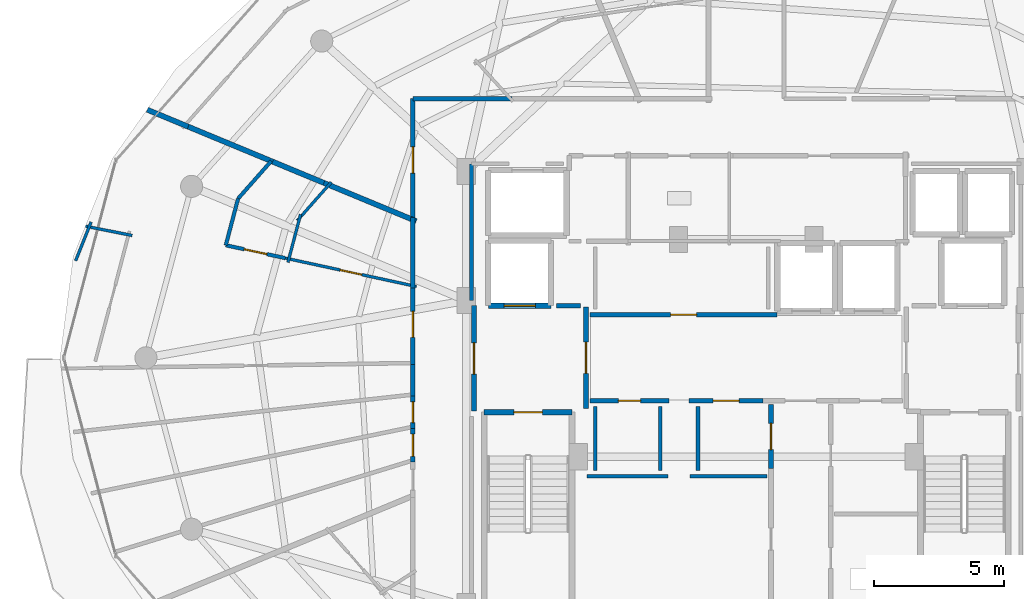
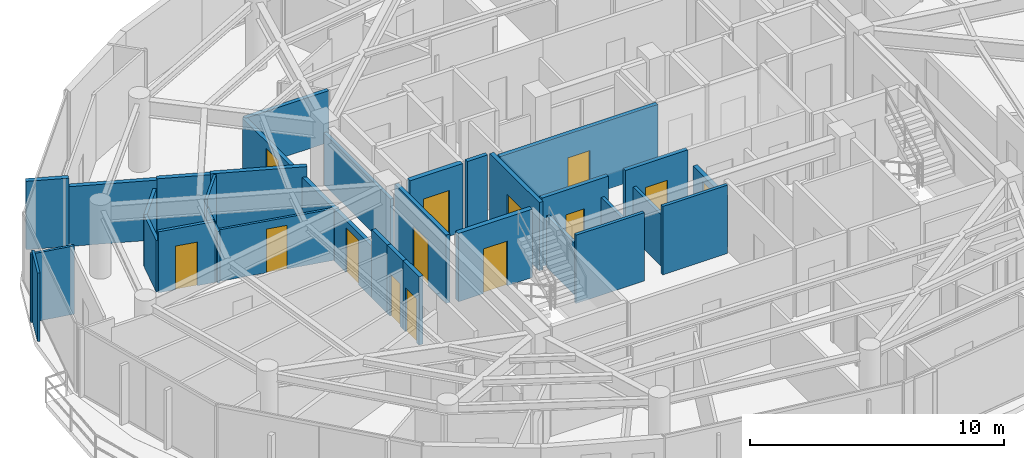
# One storey, part 24 of 31: 34 walls, 14 doors, 14 openings.
"""IFC4 building model written with IfcOpenShell, lengths in metres."""

from ifc_helpers import new_model, si_unit, direction, frame, frame_2d, origin, place, context, subcontext, project, spatial, rectangle, extrude, material, layer, layer_set, type_object, element, fill, save


model = new_model("IFC4")

# Units and contexts
model_context = context("Model", 3, precision=1e-05, world=origin(), true_north=direction((0.0, 1.0)))
body_context = subcontext(model_context, "Body", "Model", "MODEL_VIEW")
ifc_project = project(units=[si_unit("LENGTHUNIT", "METRE"), si_unit("AREAUNIT", "SQUARE_METRE"), si_unit("VOLUMEUNIT", "CUBIC_METRE"), si_unit("PLANEANGLEUNIT", "RADIAN"), si_unit("MASSUNIT", "GRAM", prefix="KILO")], contexts=[model_context])

# Site, building, storey
site_placement = place(None, origin())
site = spatial("IfcSite", under=ifc_project, at=site_placement, CompositionType="ELEMENT")
building_placement = place(site_placement, origin())
building = spatial("IfcBuilding", under=site, at=building_placement, Name="Vorneva Point Tower", CompositionType="ELEMENT")
storey_placement = place(building_placement, frame((0.0, 0.0, 266.199951171875)))
storey = spatial("IfcBuildingStorey", under=building, at=storey_placement, Name="L72", CompositionType="ELEMENT", Elevation=266.199951171875)

# Wall, opening, door
ifc_material_1 = material(Name="Concrete B60 (C50/60)", Category="concrete")
ifc_layer_1 = layer(ifc_material_1, 0.35009765625)
ifc_layer_set_1 = layer_set([ifc_layer_1], Name="Concrete B60 (C50/60)")
wall_type_1 = type_object("IfcWallType", Name="WL-CORE-350", PredefinedType="SHEAR", material=ifc_layer_set_1)
wall_1_placement = place(storey_placement, frame((28.10009765625, 28.0, 0.0), z_axis=(0.0, 0.0, 1.0), x_axis=(1.0, 0.0, 0.0)))
wall_1 = element("IfcWall", 1, at=wall_1_placement, inside=storey, type_object=wall_type_1, Name="L72 Lift FFL1 Shaft Wall -Y", PredefinedType="SHEAR", context=body_context, shape_type="SweptSolid", body=[
    extrude(rectangle(XDim=2.39990234375, YDim=0.219970703125, at=frame_2d((1.199951171875, 0.0))), origin(), (0.0, 0.0, 1.0), 3.2900390625),
])
opening_1_placement = place(wall_1_placement, frame((0.60009765625, 0.0, 0.0)))
opening_1 = element("IfcOpeningElement", 2, at=opening_1_placement, cuts=wall_1, Name="Opening LD-02", PredefinedType="OPENING", context=body_context, shape_type="SweptSolid", body=[
    extrude(rectangle(XDim=1.199951171875, YDim=2.199951171875, at=frame_2d((0.60009765625, 1.10009765625))), frame((0.0, 0.125, 0.0), z_axis=(0.0, -1.0, 0.0), x_axis=(1.0, 0.0, 0.0)), (0.0, 0.0, 1.0), 0.249755859375),
])
ifc_material_2 = material(Name="Brushed stainless steel S304", Category="steel")
door_type_1 = type_object("IfcDoorType", Name="LD-FIRE-1200", OperationType="SLIDING_TO_LEFT", PredefinedType="DOOR", material=ifc_material_2)
door_1_placement = place(opening_1_placement, origin())
door_1 = element("IfcDoor", 3, at=door_1_placement, inside=storey, type_object=door_type_1, Name="L72 Lift FFL1 Sliding Landing Door", OperationType="SLIDING_TO_LEFT", OverallHeight=2.199951171875, OverallWidth=1.199951171875, PredefinedType="DOOR", context=body_context, shape_type="SweptSolid", body=[
    extrude(rectangle(XDim=1.199951171875, YDim=2.199951171875, at=frame_2d((0.60009765625, 1.10009765625))), frame((0.0, 0.02490234375, 0.0), z_axis=(0.0, -1.0, 0.0), x_axis=(1.0, 0.0, 0.0)), (0.0, 0.0, 1.0), 0.050048828125),
])
fill(opening_1, door_1)

ifc_material_3 = material(Name="Fire-rated acoustic gypsum stud partition", Category="gypsum")
ifc_layer_2 = layer(ifc_material_3, 0.110107421875)
ifc_layer_set_2 = layer_set([ifc_layer_2], Name="Fire-rated acoustic gypsum stud partition")
wall_type_2 = type_object("IfcWallType", Name="WL-PART-110", PredefinedType="PARTITIONING", material=ifc_layer_set_2)
wall_2_placement = place(storey_placement, frame((25.3369140625, 28.73828125, 0.0), z_axis=(0.0, 0.0, 1.0), x_axis=(-0.977382932841, 0.211477191656, 0.0)))
wall_2 = element("IfcWall", 4, at=wall_2_placement, inside=storey, type_object=wall_type_2, Name="L72 Interior Partition 088", PredefinedType="PARTITIONING", context=body_context, shape_type="SweptSolid", body=[
    extrude(rectangle(XDim=5.151123046875, YDim=0.110107421875, at=frame_2d((2.57568359375, 0.0))), origin(), (0.0, 0.0, 1.0), 2.48193359375),
])
opening_2_placement = place(wall_2_placement, frame((2.150390625, 0.0, 0.0)))
opening_2 = element("IfcOpeningElement", 5, at=opening_2_placement, cuts=wall_2, Name="Opening ID-02", PredefinedType="OPENING", context=body_context, shape_type="SweptSolid", body=[
    extrude(rectangle(XDim=0.85009765625, YDim=2.10009765625, at=frame_2d((0.425048828125, 1.050048828125))), frame((0.0, 0.06982421875, 0.0), z_axis=(0.0, -1.0, 0.0), x_axis=(1.0, 0.0, 0.0)), (0.0, 0.0, 1.0), 0.139892578125),
])
ifc_material_4 = material(Name="Engineered oak fire-rated door leaf", Category="wood")
door_type_2 = type_object("IfcDoorType", Name="DR-BATH-850", OperationType="NOTDEFINED", PredefinedType="DOOR", material=ifc_material_4)
door_2_placement = place(opening_2_placement, origin())
door_2 = element("IfcDoor", 6, at=door_2_placement, inside=storey, type_object=door_type_2, Name="L72 Door Living and Dining Room L72-04 / Bathroom L72-04", OperationType="SINGLE_SWING_RIGHT", OverallHeight=2.10009765625, OverallWidth=0.85009765625, PredefinedType="DOOR", context=body_context, shape_type="SweptSolid", body=[
    extrude(rectangle(XDim=0.85009765625, YDim=2.10009765625, at=frame_2d((0.425048828125, 1.050048828125))), frame((0.0, 0.02490234375, 0.0), z_axis=(0.0, -1.0, 0.0), x_axis=(1.0, 0.0, 0.0)), (0.0, 0.0, 1.0), 0.050048828125),
])
fill(opening_2, door_2)

# Walls
wall_3_placement = place(storey_placement, frame((12.845947265625, 31.212890625, 0.0), z_axis=(0.0, 0.0, 1.0), x_axis=(-0.371522095559, -0.928424112414, 0.0)))
element("IfcWall", 7, at=wall_3_placement, inside=storey, type_object=wall_type_2, Name="L72 Interior Partition 089", PredefinedType="PARTITIONING", context=body_context, shape_type="SweptSolid", body=[
    extrude(rectangle(XDim=1.6015625, YDim=0.110107421875, at=frame_2d((0.80078125, 0.0))), origin(), (0.0, 0.0, 1.0), 3.2900390625),
])
wall_4_placement = place(storey_placement, frame((12.634765625, 31.053466796875, 0.0), z_axis=(0.0, 0.0, 1.0), x_axis=(0.980704252003, -0.195497238094, 0.0)))
element("IfcWall", 8, at=wall_4_placement, inside=storey, type_object=wall_type_2, Name="L72 Interior Partition 090", PredefinedType="PARTITIONING", context=body_context, shape_type="SweptSolid", body=[
    extrude(rectangle(XDim=1.82080078125, YDim=0.110107421875, at=frame_2d((0.910400390625, 0.0))), origin(), (0.0, 0.0, 1.0), 3.2900390625),
])
wall_5_placement = place(storey_placement, frame((22.065673828125, 32.743896484375, 0.0), z_axis=(0.0, 0.0, 1.0), x_axis=(-0.662047420969, -0.749461948593, 0.0)))
element("IfcWall", 9, at=wall_5_placement, inside=storey, type_object=wall_type_2, Name="L72 Interior Partition 096", PredefinedType="PARTITIONING", context=body_context, shape_type="SweptSolid", body=[
    extrude(rectangle(XDim=1.9716796875, YDim=0.110107421875, at=frame_2d((0.98583984375, 0.0))), origin(), (0.0, 0.0, 1.0), 2.93603515625),
])
wall_6_placement = place(storey_placement, frame((20.888671875, 31.50634765625, 0.0), z_axis=(0.0, 0.0, 1.0), x_axis=(-0.254568935897, -0.967054629727, 0.0)))
element("IfcWall", 10, at=wall_6_placement, inside=storey, type_object=wall_type_2, Name="L72 Interior Partition 097", PredefinedType="PARTITIONING", context=body_context, shape_type="SweptSolid", body=[
    extrude(rectangle(XDim=1.906494140625, YDim=0.110107421875, at=frame_2d((0.953125, 0.0))), origin(), (0.0, 0.0, 1.0), 2.48193359375),
])
ifc_layer_3 = layer(ifc_material_3, 0.139892578125)
ifc_layer_set_3 = layer_set([ifc_layer_3], Name="Fire-rated acoustic gypsum stud partition")
wall_type_3 = type_object("IfcWallType", Name="WL-PART-140", PredefinedType="PARTITIONING", material=ifc_layer_set_3)
wall_7_placement = place(storey_placement, frame((35.0048828125, 21.449951171875, 0.0), z_axis=(0.0, 0.0, 1.0), x_axis=(-1.0, 0.0, 0.0)))
element("IfcWall", 11, at=wall_7_placement, inside=storey, type_object=wall_type_3, Name="L72 Interior Partition 028", PredefinedType="PARTITIONING", context=body_context, shape_type="SweptSolid", body=[
    extrude(rectangle(XDim=3.10986328125, YDim=0.139892578125, at=frame_2d((1.554931640625, 0.0))), origin(), (0.0, 0.0, 1.0), 3.2900390625),
])
wall_8_placement = place(storey_placement, frame((38.800048828125, 21.449951171875, 0.0), z_axis=(0.0, 0.0, 1.0), x_axis=(-1.0, 0.0, 0.0)))
element("IfcWall", 12, at=wall_8_placement, inside=storey, type_object=wall_type_3, Name="L72 Interior Partition 029", PredefinedType="PARTITIONING", context=body_context, shape_type="SweptSolid", body=[
    extrude(rectangle(XDim=2.955078125, YDim=0.139892578125, at=frame_2d((1.4775390625, 0.0))), origin(), (0.0, 0.0, 1.0), 3.2900390625),
])

# Wall, opening, door
wall_9_placement = place(storey_placement, frame((20.30224609375, 29.82763671875, 0.0), z_axis=(0.0, 0.0, 1.0), x_axis=(-0.977387924942, 0.211454118377, 0.0)))
wall_9 = element("IfcWall", 13, at=wall_9_placement, inside=storey, type_object=wall_type_3, Name="L72 Interior Partition 092", PredefinedType="PARTITIONING", context=body_context, shape_type="SweptSolid", body=[
    extrude(rectangle(XDim=2.338134765625, YDim=0.139892578125, at=frame_2d((1.1689453125, 0.0))), origin(), (0.0, 0.0, 1.0), 2.93603515625),
])
opening_3_placement = place(wall_9_placement, frame((0.718994140625, 0.0, 0.0)))
opening_3 = element("IfcOpeningElement", 14, at=opening_3_placement, cuts=wall_9, Name="Opening ID-01", PredefinedType="OPENING", context=body_context, shape_type="SweptSolid", body=[
    extrude(rectangle(XDim=0.89990234375, YDim=2.10009765625, at=frame_2d((0.449951171875, 1.050048828125))), frame((0.0, 0.0849609375, 0.0), z_axis=(0.0, -1.0, 0.0), x_axis=(1.0, 0.0, 0.0)), (0.0, 0.0, 1.0), 0.169677734375),
])
door_type_3 = type_object("IfcDoorType", Name="DR-ROOM-900", OperationType="NOTDEFINED", PredefinedType="DOOR", material=ifc_material_4)
door_3_placement = place(opening_3_placement, origin())
door_3 = element("IfcDoor", 15, at=door_3_placement, inside=storey, type_object=door_type_3, Name="L72 Door Living and Dining Room L72-04 / Study Room L72-04", OperationType="SINGLE_SWING_RIGHT", OverallHeight=2.10009765625, OverallWidth=0.89990234375, PredefinedType="DOOR", context=body_context, shape_type="SweptSolid", body=[
    extrude(rectangle(XDim=0.89990234375, YDim=2.10009765625, at=frame_2d((0.449951171875, 1.050048828125))), frame((0.0, 0.02490234375, 0.0), z_axis=(0.0, -1.0, 0.0), x_axis=(1.0, 0.0, 0.0)), (0.0, 0.0, 1.0), 0.050048828125),
])
fill(opening_3, door_3)

# Walls
wall_10_placement = place(storey_placement, frame((18.01708984375, 30.322021484375, 0.0), z_axis=(0.0, 0.0, 1.0), x_axis=(0.254434866485, 0.967089912426, 0.0)))
element("IfcWall", 16, at=wall_10_placement, inside=storey, type_object=wall_type_3, Name="L72 Interior Partition 093", PredefinedType="PARTITIONING", context=body_context, shape_type="SweptSolid", body=[
    extrude(rectangle(XDim=1.85107421875, YDim=0.139892578125, at=frame_2d((0.925537109375, 0.0))), origin(), (0.0, 0.0, 1.0), 2.48193359375),
])
wall_11_placement = place(storey_placement, frame((18.488037109375, 32.112060546875, 0.0), z_axis=(0.0, 0.0, 1.0), x_axis=(0.661856531983, 0.749630529709, 0.0)))
element("IfcWall", 17, at=wall_11_placement, inside=storey, type_object=wall_type_3, Name="L72 Interior Partition 094", PredefinedType="PARTITIONING", context=body_context, shape_type="SweptSolid", body=[
    extrude(rectangle(XDim=1.9248046875, YDim=0.139892578125, at=frame_2d((0.96240234375, 0.0))), origin(), (0.0, 0.0, 1.0), 2.48193359375),
])
for number, where, z_axis, x_axis, name in (
    (18, (32.199951171875, 24.1298828125, 0.0), (0.0, 0.0, 1.0), (0.0, -1.0, 0.0), "L72 Interior Closure Partition 133"),
    (19, (34.699951171875, 21.669921875, 0.0), (0.0, 0.0, 1.0), (0.0, 1.0, 0.0), "L72 Interior Closure Partition 134"),
    (20, (36.14990234375, 24.1298828125, 0.0), (0.0, 0.0, 1.0), (0.0, -1.0, 0.0), "L72 Interior Closure Partition 135"),
):
    element("IfcWall", number, at=place(storey_placement, frame(where, z_axis=z_axis, x_axis=x_axis)), inside=storey, type_object=wall_type_3, Name=name, PredefinedType="PARTITIONING", context=body_context, shape_type="SweptSolid", body=[
        extrude(rectangle(XDim=2.4599609375, YDim=0.139892578125, at=frame_2d((1.22998046875, 0.0))), origin(), (0.0, 0.0, 1.0), 2.48193359375),
    ])
wall_12_placement = place(storey_placement, frame((27.449951171875, 33.449951171875, 0.0), z_axis=(0.0, 0.0, 1.0), x_axis=(0.0, -1.0, 0.0)))
element("IfcWall", 21, at=wall_12_placement, inside=storey, type_object=wall_type_3, Name="L72 Interior Closure Partition 147", PredefinedType="PARTITIONING", context=body_context, shape_type="SweptSolid", body=[
    extrude(rectangle(XDim=5.25390625, YDim=0.139892578125, at=frame_2d((2.626953125, 0.0))), origin(), (0.0, 0.0, 1.0), 2.48193359375),
])

# Wall, opening, door
ifc_material_5 = material(Name="Autoclaved aerated concrete blockwork", Category="masonry")
ifc_layer_4 = layer(ifc_material_5, 0.179931640625)
ifc_layer_set_4 = layer_set([ifc_layer_4], Name="Autoclaved aerated concrete blockwork")
wall_type_4 = type_object("IfcWallType", Name="WL-PART-180", PredefinedType="PARTITIONING", material=ifc_layer_set_4)
wall_13_placement = place(storey_placement, frame((31.85009765625, 24.044921875, 0.0), z_axis=(0.0, 0.0, 1.0), x_axis=(0.0, 1.0, 0.0)))
wall_13 = element("IfcWall", 22, at=wall_13_placement, inside=storey, type_object=wall_type_4, Name="L72 Interior Partition 001", PredefinedType="PARTITIONING", context=body_context, shape_type="SweptSolid", body=[
    extrude(rectangle(XDim=3.91015625, YDim=0.179931640625, at=frame_2d((1.955078125, 0.0))), origin(), (0.0, 0.0, 1.0), 3.2900390625),
])
opening_4_placement = place(wall_13_placement, frame((1.35498046875, 0.0, 0.0)))
opening_4 = element("IfcOpeningElement", 23, at=opening_4_placement, cuts=wall_13, Name="Opening FD-02", PredefinedType="OPENING", context=body_context, shape_type="SweptSolid", body=[
    extrude(rectangle(XDim=1.199951171875, YDim=2.14990234375, at=frame_2d((0.60009765625, 1.074951171875))), frame((0.0, 0.10498046875, 0.0), z_axis=(0.0, -1.0, 0.0), x_axis=(1.0, 0.0, 0.0)), (0.0, 0.0, 1.0), 0.209716796875),
])
ifc_material_6 = material(Name="Fire-rated powder-coated steel", Category="steel")
door_type_4 = type_object("IfcDoorType", Name="DR-FFL-1200", OperationType="NOTDEFINED", PredefinedType="DOOR", material=ifc_material_6)
door_4_placement = place(opening_4_placement, origin())
door_4 = element("IfcDoor", 24, at=door_4_placement, inside=storey, type_object=door_type_4, Name="L72 Door West Firefighting Lobby / Central Lift Lobby", OperationType="SINGLE_SWING_LEFT", OverallHeight=2.14990234375, OverallWidth=1.199951171875, PredefinedType="DOOR", context=body_context, shape_type="SweptSolid", body=[
    extrude(rectangle(XDim=1.199951171875, YDim=2.14990234375, at=frame_2d((0.60009765625, 1.074951171875))), frame((0.0, 0.02490234375, 0.0), z_axis=(0.0, -1.0, 0.0), x_axis=(1.0, 0.0, 0.0)), (0.0, 0.0, 1.0), 0.050048828125),
])
fill(opening_4, door_4)

wall_14_placement = place(storey_placement, frame((27.550048828125, 28.0, 0.0), z_axis=(0.0, 0.0, 1.0), x_axis=(0.0, -1.0, 0.0)))
wall_14 = element("IfcWall", 25, at=wall_14_placement, inside=storey, type_object=wall_type_4, Name="L72 Interior Partition 002", PredefinedType="PARTITIONING", context=body_context, shape_type="SweptSolid", body=[
    extrude(rectangle(XDim=4.050048828125, YDim=0.179931640625, at=frame_2d((2.02490234375, 0.0))), origin(), (0.0, 0.0, 1.0), 3.2900390625),
])
opening_5_placement = place(wall_14_placement, frame((1.425048828125, 0.0, 0.0)))
opening_5 = element("IfcOpeningElement", 26, at=opening_5_placement, cuts=wall_14, Name="Opening FD-02", PredefinedType="OPENING", context=body_context, shape_type="SweptSolid", body=[
    extrude(rectangle(XDim=1.199951171875, YDim=2.14990234375, at=frame_2d((0.60009765625, 1.074951171875))), frame((0.0, 0.10498046875, 0.0), z_axis=(0.0, -1.0, 0.0), x_axis=(1.0, 0.0, 0.0)), (0.0, 0.0, 1.0), 0.209716796875),
])
door_5_placement = place(opening_5_placement, origin())
door_5 = element("IfcDoor", 27, at=door_5_placement, inside=storey, type_object=door_type_4, Name="L72 Door West Firefighting Lobby / L72 Circulation Corridor", OperationType="SINGLE_SWING_RIGHT", OverallHeight=2.14990234375, OverallWidth=1.199951171875, PredefinedType="DOOR", context=body_context, shape_type="SweptSolid", body=[
    extrude(rectangle(XDim=1.199951171875, YDim=2.14990234375, at=frame_2d((0.60009765625, 1.074951171875))), frame((0.0, 0.02490234375, 0.0), z_axis=(0.0, -1.0, 0.0), x_axis=(1.0, 0.0, 0.0)), (0.0, 0.0, 1.0), 0.050048828125),
])
fill(opening_5, door_5)

wall_15_placement = place(storey_placement, frame((39.18994140625, 27.64990234375, 0.0), z_axis=(0.0, 0.0, 1.0), x_axis=(-1.0, 0.0, 0.0)))
wall_15 = element("IfcWall", 28, at=wall_15_placement, inside=storey, type_object=wall_type_4, Name="L72 Interior Partition 012", PredefinedType="PARTITIONING", context=body_context, shape_type="SweptSolid", body=[
    extrude(rectangle(XDim=7.18994140625, YDim=0.179931640625, at=frame_2d((3.594970703125, 0.0))), origin(), (0.0, 0.0, 1.0), 3.2900390625),
])
opening_6_placement = place(wall_15_placement, frame((3.094970703125, 0.0, 0.0)))
opening_6 = element("IfcOpeningElement", 29, at=opening_6_placement, cuts=wall_15, Name="Opening UD-01", PredefinedType="OPENING", context=body_context, shape_type="SweptSolid", body=[
    extrude(rectangle(XDim=1.0, YDim=2.14990234375, at=frame_2d((0.5, 1.074951171875))), frame((0.0, 0.10498046875, 0.0), z_axis=(0.0, -1.0, 0.0), x_axis=(1.0, 0.0, 0.0)), (0.0, 0.0, 1.0), 0.209716796875),
])
door_type_5 = type_object("IfcDoorType", Name="DR-UNIT-1000", OperationType="NOTDEFINED", PredefinedType="DOOR", material=ifc_material_4)
door_6_placement = place(opening_6_placement, origin())
door_6 = element("IfcDoor", 30, at=door_6_placement, inside=storey, type_object=door_type_5, Name="L72 Door Central Lift Lobby / Reclaimed Core Meeting Room", OperationType="SINGLE_SWING_RIGHT", OverallHeight=2.14990234375, OverallWidth=1.0, PredefinedType="DOOR", context=body_context, shape_type="SweptSolid", body=[
    extrude(rectangle(XDim=1.0, YDim=2.14990234375, at=frame_2d((0.5, 1.074951171875))), frame((0.0, 0.02490234375, 0.0), z_axis=(0.0, -1.0, 0.0), x_axis=(1.0, 0.0, 0.0)), (0.0, 0.0, 1.0), 0.050048828125),
])
fill(opening_6, door_6)

wall_16_placement = place(storey_placement, frame((32.0, 24.35009765625, 0.0), z_axis=(0.0, 0.0, 1.0), x_axis=(1.0, 0.0, 0.0)))
wall_16 = element("IfcWall", 31, at=wall_16_placement, inside=storey, type_object=wall_type_4, Name="L72 Interior Partition 013", PredefinedType="PARTITIONING", context=body_context, shape_type="SweptSolid", body=[
    extrude(rectangle(XDim=3.0400390625, YDim=0.179931640625, at=frame_2d((1.52001953125, 0.0))), origin(), (0.0, 0.0, 1.0), 3.2900390625),
])
opening_7_placement = place(wall_16_placement, frame((1.094970703125, 0.0, 0.0)))
opening_7 = element("IfcOpeningElement", 32, at=opening_7_placement, cuts=wall_16, Name="Opening ID-02", PredefinedType="OPENING", context=body_context, shape_type="SweptSolid", body=[
    extrude(rectangle(XDim=0.85009765625, YDim=2.10009765625, at=frame_2d((0.425048828125, 1.050048828125))), frame((0.0, 0.10498046875, 0.0), z_axis=(0.0, -1.0, 0.0), x_axis=(1.0, 0.0, 0.0)), (0.0, 0.0, 1.0), 0.209716796875),
])
door_7_placement = place(opening_7_placement, origin())
door_7 = element("IfcDoor", 33, at=door_7_placement, inside=storey, type_object=door_type_2, Name="L72 Door Central Lift Lobby / Reclaimed High-Zone Valet Room", OperationType="SINGLE_SWING_LEFT", OverallHeight=2.10009765625, OverallWidth=0.85009765625, PredefinedType="DOOR", context=body_context, shape_type="SweptSolid", body=[
    extrude(rectangle(XDim=0.85009765625, YDim=2.10009765625, at=frame_2d((0.425048828125, 1.050048828125))), frame((0.0, 0.02490234375, 0.0), z_axis=(0.0, -1.0, 0.0), x_axis=(1.0, 0.0, 0.0)), (0.0, 0.0, 1.0), 0.050048828125),
])
fill(opening_7, door_7)

wall_17_placement = place(storey_placement, frame((35.81005859375, 24.35009765625, 0.0), z_axis=(0.0, 0.0, 1.0), x_axis=(1.0, 0.0, 0.0)))
wall_17 = element("IfcWall", 34, at=wall_17_placement, inside=storey, type_object=wall_type_4, Name="L72 Interior Partition 014", PredefinedType="PARTITIONING", context=body_context, shape_type="SweptSolid", body=[
    extrude(rectangle(XDim=2.8349609375, YDim=0.179931640625, at=frame_2d((1.41748046875, 0.0))), origin(), (0.0, 0.0, 1.0), 3.2900390625),
])
opening_8_placement = place(wall_17_placement, frame((0.91748046875, 0.0, 0.0)))
opening_8 = element("IfcOpeningElement", 35, at=opening_8_placement, cuts=wall_17, Name="Opening UD-01", PredefinedType="OPENING", context=body_context, shape_type="SweptSolid", body=[
    extrude(rectangle(XDim=1.0, YDim=2.14990234375, at=frame_2d((0.5, 1.074951171875))), frame((0.0, 0.10498046875, 0.0), z_axis=(0.0, -1.0, 0.0), x_axis=(1.0, 0.0, 0.0)), (0.0, 0.0, 1.0), 0.209716796875),
])
door_8_placement = place(opening_8_placement, origin())
door_8 = element("IfcDoor", 36, at=door_8_placement, inside=storey, type_object=door_type_5, Name="L72 Door Central Lift Lobby / Reclaimed High-Zone Tasting Room", OperationType="SINGLE_SWING_RIGHT", OverallHeight=2.14990234375, OverallWidth=1.0, PredefinedType="DOOR", context=body_context, shape_type="SweptSolid", body=[
    extrude(rectangle(XDim=1.0, YDim=2.14990234375, at=frame_2d((0.5, 1.074951171875))), frame((0.0, 0.02490234375, 0.0), z_axis=(0.0, -1.0, 0.0), x_axis=(1.0, 0.0, 0.0)), (0.0, 0.0, 1.0), 0.050048828125),
])
fill(opening_8, door_8)

wall_18_placement = place(storey_placement, frame((38.949951171875, 24.199951171875, 0.0), z_axis=(0.0, 0.0, 1.0), x_axis=(0.0, -1.0, 0.0)))
wall_18 = element("IfcWall", 37, at=wall_18_placement, inside=storey, type_object=wall_type_4, Name="L72 Interior Partition 018", PredefinedType="PARTITIONING", context=body_context, shape_type="SweptSolid", body=[
    extrude(rectangle(XDim=2.445068359375, YDim=0.179931640625, at=frame_2d((1.22265625, 0.0))), origin(), (0.0, 0.0, 1.0), 2.48193359375),
])
opening_9_placement = place(wall_18_placement, frame((0.722412109375, 0.0, 0.0)))
opening_9 = element("IfcOpeningElement", 38, at=opening_9_placement, cuts=wall_18, Name="Opening UD-01", PredefinedType="OPENING", context=body_context, shape_type="SweptSolid", body=[
    extrude(rectangle(XDim=1.0, YDim=2.14990234375, at=frame_2d((0.5, 1.074951171875))), frame((0.0, 0.10498046875, 0.0), z_axis=(0.0, -1.0, 0.0), x_axis=(1.0, 0.0, 0.0)), (0.0, 0.0, 1.0), 0.209716796875),
])
door_9_placement = place(opening_9_placement, origin())
door_9 = element("IfcDoor", 39, at=door_9_placement, inside=storey, type_object=door_type_5, Name="L72 Door Core Service Lobby / Reclaimed High-Zone Tasting Room", OperationType="SINGLE_SWING_RIGHT", OverallHeight=2.14990234375, OverallWidth=1.0, PredefinedType="DOOR", context=body_context, shape_type="SweptSolid", body=[
    extrude(rectangle(XDim=1.0, YDim=2.14990234375, at=frame_2d((0.5, 1.074951171875))), frame((0.0, 0.02490234375, 0.0), z_axis=(0.0, -1.0, 0.0), x_axis=(1.0, 0.0, 0.0)), (0.0, 0.0, 1.0), 0.050048828125),
])
fill(opening_9, door_9)

# Wall
wall_19_placement = place(storey_placement, frame((29.006103515625, 35.949951171875, 0.0), z_axis=(0.0, 0.0, 1.0), x_axis=(-1.0, 0.0, 0.0)))
element("IfcWall", 40, at=wall_19_placement, inside=storey, type_object=wall_type_4, Name="L72 Interior Partition 039", PredefinedType="PARTITIONING", context=body_context, shape_type="SweptSolid", body=[
    extrude(rectangle(XDim=3.80615234375, YDim=0.179931640625, at=frame_2d((1.903076171875, 0.0))), origin(), (0.0, 0.0, 1.0), 2.48193359375),
])

# Wall, opening, door
wall_20_placement = place(storey_placement, frame((25.199951171875, 35.949951171875, 0.0), z_axis=(0.0, 0.0, 1.0), x_axis=(0.0, -1.0, 0.0)))
wall_20 = element("IfcWall", 41, at=wall_20_placement, inside=storey, type_object=wall_type_4, Name="L72 Interior Partition 040", PredefinedType="PARTITIONING", context=body_context, shape_type="SweptSolid", body=[
    extrude(rectangle(XDim=4.7080078125, YDim=0.179931640625, at=frame_2d((2.35400390625, 0.0))), origin(), (0.0, 0.0, 1.0), 2.48193359375),
])
opening_10_placement = place(wall_20_placement, frame((1.85400390625, 0.0, 0.0)))
opening_10 = element("IfcOpeningElement", 42, at=opening_10_placement, cuts=wall_20, Name="Opening UD-01", PredefinedType="OPENING", context=body_context, shape_type="SweptSolid", body=[
    extrude(rectangle(XDim=1.0, YDim=2.14990234375, at=frame_2d((0.5, 1.074951171875))), frame((0.0, 0.10498046875, 0.0), z_axis=(0.0, -1.0, 0.0), x_axis=(1.0, 0.0, 0.0)), (0.0, 0.0, 1.0), 0.209716796875),
])
door_10_placement = place(opening_10_placement, origin())
door_10 = element("IfcDoor", 43, at=door_10_placement, inside=storey, type_object=door_type_5, Name="L72 Door L72 Circulation Corridor / Studio Apartment L72-03", OperationType="SINGLE_SWING_LEFT", OverallHeight=2.14990234375, OverallWidth=1.0, PredefinedType="DOOR", context=body_context, shape_type="SweptSolid", body=[
    extrude(rectangle(XDim=1.0, YDim=2.14990234375, at=frame_2d((0.5, 1.074951171875))), frame((0.0, 0.02490234375, 0.0), z_axis=(0.0, -1.0, 0.0), x_axis=(1.0, 0.0, 0.0)), (0.0, 0.0, 1.0), 0.050048828125),
])
fill(opening_10, door_10)

wall_21_placement = place(storey_placement, frame((25.199951171875, 28.8291015625, 0.0), z_axis=(0.0, 0.0, 1.0), x_axis=(0.0, -1.0, 0.0)))
wall_21 = element("IfcWall", 44, at=wall_21_placement, inside=storey, type_object=wall_type_4, Name="L72 Interior Partition 042", PredefinedType="PARTITIONING", context=body_context, shape_type="SweptSolid", body=[
    extrude(rectangle(XDim=3.090087890625, YDim=0.179931640625, at=frame_2d((1.544921875, 0.0))), origin(), (0.0, 0.0, 1.0), 2.48193359375),
])
opening_11_placement = place(wall_21_placement, frame((1.044921875, 0.0, 0.0)))
opening_11 = element("IfcOpeningElement", 45, at=opening_11_placement, cuts=wall_21, Name="Opening UD-01", PredefinedType="OPENING", context=body_context, shape_type="SweptSolid", body=[
    extrude(rectangle(XDim=1.0, YDim=2.14990234375, at=frame_2d((0.5, 1.074951171875))), frame((0.0, 0.10498046875, 0.0), z_axis=(0.0, -1.0, 0.0), x_axis=(1.0, 0.0, 0.0)), (0.0, 0.0, 1.0), 0.209716796875),
])
door_11_placement = place(opening_11_placement, origin())
door_11 = element("IfcDoor", 46, at=door_11_placement, inside=storey, type_object=door_type_5, Name="L72 Door L72 Circulation Corridor / Living and Dining Room L72-04", OperationType="SINGLE_SWING_RIGHT", OverallHeight=2.14990234375, OverallWidth=1.0, PredefinedType="DOOR", context=body_context, shape_type="SweptSolid", body=[
    extrude(rectangle(XDim=1.0, YDim=2.14990234375, at=frame_2d((0.5, 1.074951171875))), frame((0.0, 0.02490234375, 0.0), z_axis=(0.0, -1.0, 0.0), x_axis=(1.0, 0.0, 0.0)), (0.0, 0.0, 1.0), 0.050048828125),
])
fill(opening_11, door_11)

# Walls
wall_22_placement = place(storey_placement, frame((25.199951171875, 31.382080078125, 0.0), z_axis=(0.0, 0.0, 1.0), x_axis=(0.0, -1.0, 0.0)))
element("IfcWall", 47, at=wall_22_placement, inside=storey, type_object=wall_type_4, Name="L72 Interior Partition 043", PredefinedType="PARTITIONING", context=body_context, shape_type="SweptSolid", body=[
    extrude(rectangle(XDim=2.693115234375, YDim=0.179931640625, at=frame_2d((1.3466796875, 0.0))), origin(), (0.0, 0.0, 1.0), 2.48193359375),
])
wall_23_placement = place(storey_placement, frame((25.199951171875, 25.739013671875, 0.0), z_axis=(0.0, 0.0, 1.0), x_axis=(0.0, -1.0, 0.0)))
element("IfcWall", 48, at=wall_23_placement, inside=storey, type_object=wall_type_4, Name="L72 Interior Partition 044", PredefinedType="PARTITIONING", context=body_context, shape_type="SweptSolid", body=[
    extrude(rectangle(XDim=1.2119140625, YDim=0.179931640625, at=frame_2d((0.60595703125, 0.0))), origin(), (0.0, 0.0, 1.0), 3.2900390625),
])

# Wall, opening, door
wall_24_placement = place(storey_placement, frame((25.199951171875, 24.527099609375, 0.0), z_axis=(0.0, 0.0, 1.0), x_axis=(0.0, -1.0, 0.0)))
wall_24 = element("IfcWall", 49, at=wall_24_placement, inside=storey, type_object=wall_type_4, Name="L72 Interior Partition 045", PredefinedType="PARTITIONING", context=body_context, shape_type="SweptSolid", body=[
    extrude(rectangle(XDim=1.239013671875, YDim=0.179931640625, at=frame_2d((0.61962890625, 0.0))), origin(), (0.0, 0.0, 1.0), 3.2900390625),
])
opening_12_placement = place(wall_24_placement, frame((0.219482421875, 0.0, 0.0)))
opening_12 = element("IfcOpeningElement", 50, at=opening_12_placement, cuts=wall_24, Name="Opening RD-01", PredefinedType="OPENING", context=body_context, shape_type="SweptSolid", body=[
    extrude(rectangle(XDim=0.800048828125, YDim=2.050048828125, at=frame_2d((0.39990234375, 1.02490234375))), frame((0.0, 0.10498046875, 0.0), z_axis=(0.0, -1.0, 0.0), x_axis=(1.0, 0.0, 0.0)), (0.0, 0.0, 1.0), 0.209716796875),
])
door_type_6 = type_object("IfcDoorType", Name="DR-RSR-800", OperationType="SINGLE_SWING_LEFT", PredefinedType="DOOR", material=ifc_material_6)
door_12_placement = place(opening_12_placement, origin())
door_12 = element("IfcDoor", 51, at=door_12_placement, inside=storey, type_object=door_type_6, Name="L72 Access Door L72 Circulation Corridor", OperationType="SINGLE_SWING_LEFT", OverallHeight=2.050048828125, OverallWidth=0.800048828125, PredefinedType="DOOR", context=body_context, shape_type="SweptSolid", body=[
    extrude(rectangle(XDim=0.800048828125, YDim=2.050048828125, at=frame_2d((0.39990234375, 1.02490234375))), frame((0.0, 0.02490234375, 0.0), z_axis=(0.0, -1.0, 0.0), x_axis=(1.0, 0.0, 0.0)), (0.0, 0.0, 1.0), 0.050048828125),
])
fill(opening_12, door_12)

wall_25_placement = place(storey_placement, frame((25.199951171875, 23.2880859375, 0.0), z_axis=(0.0, 0.0, 1.0), x_axis=(0.0, -1.0, 0.0)))
wall_25 = element("IfcWall", 52, at=wall_25_placement, inside=storey, type_object=wall_type_4, Name="L72 Interior Partition 046", PredefinedType="PARTITIONING", context=body_context, shape_type="SweptSolid", body=[
    extrude(rectangle(XDim=1.2890625, YDim=0.179931640625, at=frame_2d((0.64453125, 0.0))), origin(), (0.0, 0.0, 1.0), 3.2900390625),
])
opening_13_placement = place(wall_25_placement, frame((0.219482421875, 0.0, 0.0)))
opening_13 = element("IfcOpeningElement", 53, at=opening_13_placement, cuts=wall_25, Name="Opening ID-02", PredefinedType="OPENING", context=body_context, shape_type="SweptSolid", body=[
    extrude(rectangle(XDim=0.85009765625, YDim=2.10009765625, at=frame_2d((0.425048828125, 1.050048828125))), frame((0.0, 0.10498046875, 0.0), z_axis=(0.0, -1.0, 0.0), x_axis=(1.0, 0.0, 0.0)), (0.0, 0.0, 1.0), 0.209716796875),
])
door_13_placement = place(opening_13_placement, origin())
door_13 = element("IfcDoor", 54, at=door_13_placement, inside=storey, type_object=door_type_2, Name="L72 Access Door L72 Circulation Corridor", OperationType="SINGLE_SWING_RIGHT", OverallHeight=2.10009765625, OverallWidth=0.85009765625, PredefinedType="DOOR", context=body_context, shape_type="SweptSolid", body=[
    extrude(rectangle(XDim=0.85009765625, YDim=2.10009765625, at=frame_2d((0.425048828125, 1.050048828125))), frame((0.0, 0.02490234375, 0.0), z_axis=(0.0, -1.0, 0.0), x_axis=(1.0, 0.0, 0.0)), (0.0, 0.0, 1.0), 0.050048828125),
])
fill(opening_13, door_13)

# Walls
wall_26_placement = place(storey_placement, frame((31.635009765625, 28.0, 0.0), z_axis=(0.0, 0.0, 1.0), x_axis=(-1.0, 0.0, 0.0)))
element("IfcWall", 55, at=wall_26_placement, inside=storey, type_object=wall_type_4, Name="L72 Interior Closure Partition 126", PredefinedType="PARTITIONING", context=body_context, shape_type="SweptSolid", body=[
    extrude(rectangle(XDim=0.9150390625, YDim=0.179931640625, at=frame_2d((0.45751953125, 0.0))), origin(), (0.0, 0.0, 1.0), 3.2900390625),
])
ifc_layer_5 = layer(ifc_material_5, 0.199951171875)
ifc_layer_set_5 = layer_set([ifc_layer_5], Name="Autoclaved aerated concrete blockwork")
wall_type_5 = type_object("IfcWallType", Name="WL-PART-200", PredefinedType="PARTITIONING", material=ifc_layer_set_5)
wall_27_placement = place(storey_placement, frame((16.446044921875, 34.927978515625, 0.0), z_axis=(0.0, 0.0, 1.0), x_axis=(0.923904292622, -0.3826236507, 0.0)))
element("IfcWall", 56, at=wall_27_placement, inside=storey, type_object=wall_type_5, Name="L72 Interior Partition 084", PredefinedType="PARTITIONING", context=body_context, shape_type="SweptSolid", body=[
    extrude(rectangle(XDim=3.6484375, YDim=0.199951171875, at=frame_2d((1.82421875, 0.0))), origin(), (0.0, 0.0, 1.0), 2.8740234375),
])
wall_28_placement = place(storey_placement, frame((21.78466796875, 32.716552734375, 0.0), z_axis=(0.0, 0.0, 1.0), x_axis=(0.923878783617, -0.382685240352, 0.0)))
element("IfcWall", 57, at=wall_28_placement, inside=storey, type_object=wall_type_5, Name="L72 Interior Partition 085", PredefinedType="PARTITIONING", context=body_context, shape_type="SweptSolid", body=[
    extrude(rectangle(XDim=3.836669921875, YDim=0.199951171875, at=frame_2d((1.91845703125, 0.0))), origin(), (0.0, 0.0, 1.0), 2.97900390625),
])
wall_29_placement = place(storey_placement, frame((19.81689453125, 33.53173828125, 0.0), z_axis=(0.0, 0.0, 1.0), x_axis=(0.92391905869, -0.382587993786, 0.0)))
element("IfcWall", 58, at=wall_29_placement, inside=storey, type_object=wall_type_5, Name="L72 Interior Partition 086", PredefinedType="PARTITIONING", context=body_context, shape_type="SweptSolid", body=[
    extrude(rectangle(XDim=2.130126953125, YDim=0.199951171875, at=frame_2d((1.06494140625, 0.0))), origin(), (0.0, 0.0, 1.0), 2.93603515625),
])
wall_30_placement = place(storey_placement, frame((15.003662109375, 35.525634765625, 0.0), z_axis=(0.0, 0.0, 1.0), x_axis=(0.923843638485, -0.382770076719, 0.0)))
element("IfcWall", 59, at=wall_30_placement, inside=storey, type_object=wall_type_5, Name="L72 Interior Partition 087", PredefinedType="PARTITIONING", context=body_context, shape_type="SweptSolid", body=[
    extrude(rectangle(XDim=1.701171875, YDim=0.199951171875, at=frame_2d((0.8505859375, 0.0))), origin(), (0.0, 0.0, 1.0), 3.2900390625),
])

# Wall, opening, door
ifc_material_7 = material(Name="Concrete B50 (C40/50)", Category="concrete")
ifc_layer_6 = layer(ifc_material_7, 0.219970703125)
ifc_layer_set_6 = layer_set([ifc_layer_6], Name="Concrete B50 (C40/50)")
wall_type_6 = type_object("IfcWallType", Name="WL-SHFT-220", PredefinedType="SOLIDWALL", material=ifc_layer_set_6)
wall_31_placement = place(storey_placement, frame((27.93994140625, 23.909912109375, 0.0), z_axis=(0.0, 0.0, 1.0), x_axis=(1.0, 0.0, 0.0)))
wall_31 = element("IfcWall", 60, at=wall_31_placement, inside=storey, type_object=wall_type_6, Name="L72 Exit Stair ST1 Shaft Wall near", PredefinedType="SOLIDWALL", context=body_context, shape_type="SweptSolid", body=[
    extrude(rectangle(XDim=3.3701171875, YDim=0.219970703125, at=frame_2d((1.68505859375, 0.0))), origin(), (0.0, 0.0, 1.0), 3.2900390625),
])
opening_14_placement = place(wall_31_placement, frame((1.135009765625, 0.0, 0.0)))
opening_14 = element("IfcOpeningElement", 61, at=opening_14_placement, cuts=wall_31, Name="Opening FD-01", PredefinedType="OPENING", context=body_context, shape_type="SweptSolid", body=[
    extrude(rectangle(XDim=1.10009765625, YDim=2.14990234375, at=frame_2d((0.550048828125, 1.074951171875))), frame((0.0, 0.125, 0.0), z_axis=(0.0, -1.0, 0.0), x_axis=(1.0, 0.0, 0.0)), (0.0, 0.0, 1.0), 0.249755859375),
])
door_type_7 = type_object("IfcDoorType", Name="DR-STAIR-1100", OperationType="NOTDEFINED", PredefinedType="DOOR", material=ifc_material_6)
door_14_placement = place(opening_14_placement, origin())
door_14 = element("IfcDoor", 62, at=door_14_placement, inside=storey, type_object=door_type_7, Name="L72 Exit Stair ST1 Fire Door", OperationType="SINGLE_SWING_RIGHT", OverallHeight=2.14990234375, OverallWidth=1.10009765625, PredefinedType="DOOR", context=body_context, shape_type="SweptSolid", body=[
    extrude(rectangle(XDim=1.10009765625, YDim=2.14990234375, at=frame_2d((0.550048828125, 1.074951171875))), frame((0.0, 0.02490234375, 0.0), z_axis=(0.0, -1.0, 0.0), x_axis=(1.0, 0.0, 0.0)), (0.0, 0.0, 1.0), 0.050048828125),
])
fill(opening_14, door_14)

save(model, "model.ifc")
